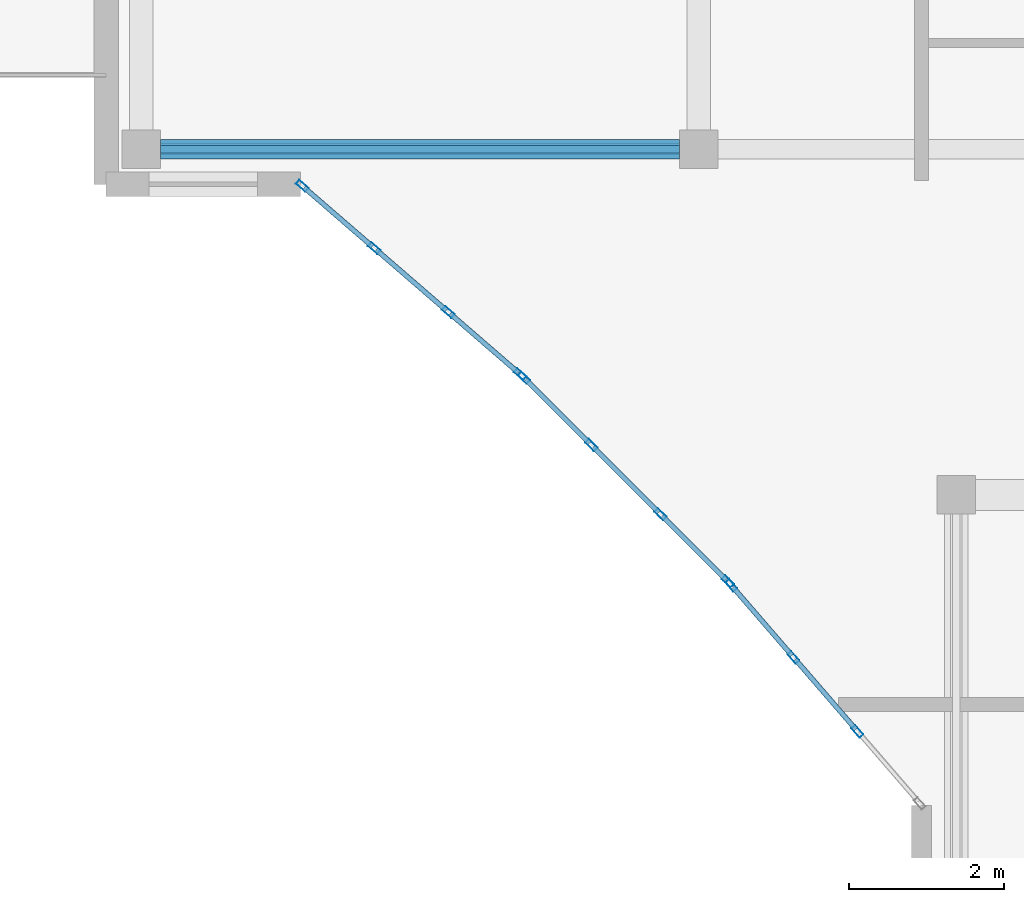
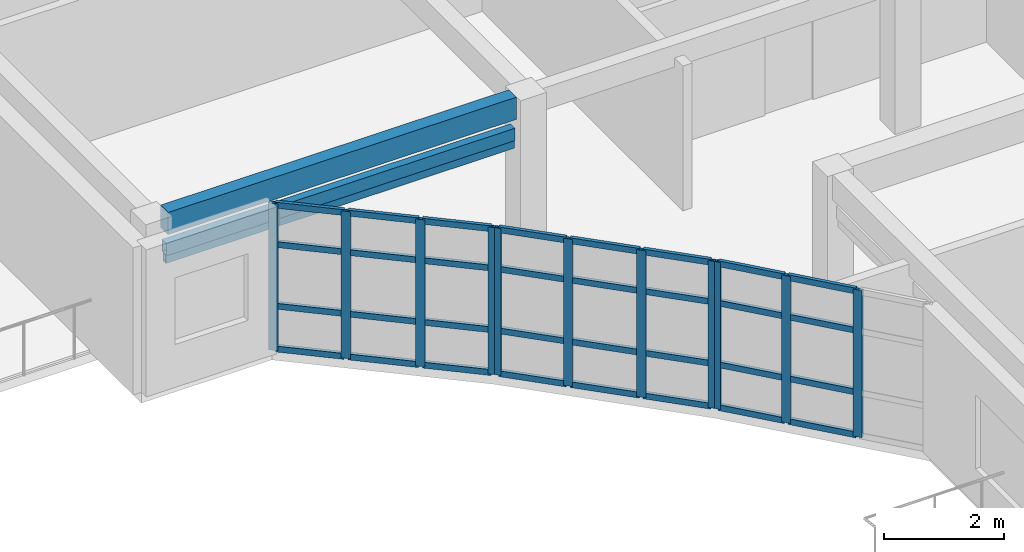
# One storey, part 3 of 39: 45 members, 1 beam, 3 elements without a shape of their own.
"""IFC4 building model written with IfcOpenShell, lengths in metres."""

from ifc_helpers import new_model, si_unit, direction, frame, origin, origin_2d, place, context, subcontext, project, spatial, rectangle, hollow_rectangle, extrude, material, layer, layer_set, material_profile, profile_set, type_object, element, aggregate, save


model = new_model("IFC4")

# Units and contexts
model_context = context("Model", 3, precision=1e-05, world=origin(), true_north=direction((0.0, 1.0)))
body_context = subcontext(model_context, "Body", "Model", "MODEL_VIEW")
ifc_project = project(units=[si_unit("LENGTHUNIT", "METRE"), si_unit("AREAUNIT", "SQUARE_METRE"), si_unit("VOLUMEUNIT", "CUBIC_METRE"), si_unit("PLANEANGLEUNIT", "RADIAN"), si_unit("MASSUNIT", "GRAM", prefix="KILO")], contexts=[model_context])

# Site, building, storey
site_placement = place(None, origin())
site = spatial("IfcSite", under=ifc_project, at=site_placement, CompositionType="ELEMENT")
building_placement = place(site_placement, origin())
building = spatial("IfcBuilding", under=site, at=building_placement, Name="Keldmere Railside Commons", CompositionType="ELEMENT")
storey_placement = place(building_placement, frame((0.0, 0.0, 32.9599609375)))
storey = spatial("IfcBuildingStorey", under=building, at=storey_placement, Name="L10", CompositionType="ELEMENT", Elevation=32.9599609375)

# Member
ifc_material_1 = material(Name="Steel F-36 (S355)", Category="steel")
ifc_material_profile_1 = material_profile(ifc_material_1, hollow_rectangle(XDim=0.14990234375, YDim=0.25, WallThickness=0.010009765625, at=origin_2d()), Name="RHS-250x150x10")
ifc_profile_set_1 = profile_set([ifc_material_profile_1], Name="Steel F-36 (S355)")
member_type_1 = type_object("IfcMemberType", Name="Balcony Continuous Planted Trough RHS250x150", PredefinedType="CHORD", material=ifc_profile_set_1)
member_1_placement = place(storey_placement, frame((94.199951171875, 100.449951171875, 2.4150390625), z_axis=(1.0, 0.0, 0.0), x_axis=(0.0, 1.0, 0.0)))
element("IfcMember", 1, at=member_1_placement, inside=storey, type_object=member_type_1, Name="PLT-1 MEM-BPLT-0983", PredefinedType="CHORD", context=body_context, shape_type="SweptSolid", body=[
    extrude(hollow_rectangle(XDim=0.14990234375, YDim=0.25, WallThickness=0.010009765625, at=origin_2d()), origin(), (0.0, 0.0, 1.0), 6.68310546875),
])

# Beam
ifc_material_2 = material(Name="Architectural Precast Concrete H-35 (C35/45)", Category="concrete")
ifc_material_profile_2 = material_profile(ifc_material_2, rectangle(XDim=0.25, YDim=0.449951171875, at=origin_2d()), Name="RC-250x450")
ifc_profile_set_2 = profile_set([ifc_material_profile_2], Name="Architectural Precast Concrete H-35 (C35/45)")
beam_type = type_object("IfcBeamType", Name="Perimeter Precast Spandrel Beam 250x450", PredefinedType="SPANDREL", material=ifc_profile_set_2)
beam_placement = place(storey_placement, frame((94.199951171875, 100.449951171875, 2.97509765625), z_axis=(1.0, 0.0, 0.0), x_axis=(0.0, 1.0, 0.0)))
element("IfcBeam", 2, at=beam_placement, inside=storey, type_object=beam_type, Name="SPB-1 BM-L10-2383", PredefinedType="SPANDREL", context=body_context, shape_type="SweptSolid", body=[
    extrude(rectangle(XDim=0.25, YDim=0.449951171875, at=origin_2d()), origin(), (0.0, 0.0, 1.0), 6.68310546875),
])

# Member
ifc_material_profile_3 = material_profile(ifc_material_1, hollow_rectangle(XDim=0.10009765625, YDim=0.159912109375, WallThickness=0.008056640625, at=origin_2d()), Name="RHS-160x100x8")
ifc_profile_set_3 = profile_set([ifc_material_profile_3], Name="Steel F-36 (S355)")
member_type_2 = type_object("IfcMemberType", Name="Solar Brise-Soleil Louvre Fin RHS160x100", PredefinedType="STRUT", material=ifc_profile_set_3)
member_2_placement = place(storey_placement, frame((94.199951171875, 100.449951171875, 2.199951171875), z_axis=(1.0, 0.0, 0.0), x_axis=(0.0, 1.0, 0.0)))
element("IfcMember", 3, at=member_2_placement, inside=storey, type_object=member_type_2, Name="BSF-1 MEM-BSF-0984", PredefinedType="STRUT", context=body_context, shape_type="SweptSolid", body=[
    extrude(hollow_rectangle(XDim=0.10009765625, YDim=0.159912109375, WallThickness=0.008056640625, at=origin_2d()), origin(), (0.0, 0.0, 1.0), 6.68310546875),
])

# Curtain wall, members
ifc_material_3 = material(Name="Thermally Broken Aluminium", Category="aluminium")
ifc_layer_1 = layer(ifc_material_3, 0.159912109375, Name="Court Chord Wintergarden CW 4800x2850")
ifc_layer_set_1 = layer_set([ifc_layer_1], Name="Thermally Broken Aluminium")
curtain_wall_type_1 = type_object("IfcCurtainWallType", Name="Court Chord Wintergarden CW 4800x2850", PredefinedType="NOTDEFINED", material=ifc_layer_set_1)
curtain_wall_1_placement = place(storey_placement, origin())
curtain_wall_1 = element("IfcCurtainWall", 4, at=curtain_wall_1_placement, inside=storey, type_object=curtain_wall_type_1, Name="CW-12 CW-L10-148", PredefinedType="NOTDEFINED")
ifc_material_profile_4 = material_profile(ifc_material_3, hollow_rectangle(XDim=0.06494140625, YDim=0.159912109375, WallThickness=0.00390625, at=origin_2d()), Name="ALU-MULL-65x160")
ifc_profile_set_4 = profile_set([ifc_material_profile_4], Name="Thermally Broken Aluminium")
member_type_3 = type_object("IfcMemberType", Name="Unitised Curtain Wall Mullion 65x160", PredefinedType="MULLION", material=ifc_profile_set_4)
member_3_placement = place(storey_placement, frame((98.83349609375, 97.55126953125, 0.0), z_axis=(0.0, 0.0, 1.0), x_axis=(-0.653881741053, -0.756596767584, 0.0)))
member_3 = element("IfcMember", 5, at=member_3_placement, type_object=member_type_3, Name="CW-12 mullion 1", PredefinedType="MULLION", context=body_context, shape_type="SweptSolid", body=[
    extrude(hollow_rectangle(XDim=0.06494140625, YDim=0.159912109375, WallThickness=0.00390625, at=origin_2d()), origin(), (0.0, 0.0, 1.0), 2.97998046875),
])
member_4_placement = place(storey_placement, frame((97.9052734375, 98.353271484375, 0.0), z_axis=(0.0, 0.0, 1.0), x_axis=(-0.653881741053, -0.756596767584, 0.0)))
member_4 = element("IfcMember", 6, at=member_4_placement, type_object=member_type_3, Name="CW-12 mullion 2", PredefinedType="MULLION", context=body_context, shape_type="SweptSolid", body=[
    extrude(hollow_rectangle(XDim=0.06494140625, YDim=0.159912109375, WallThickness=0.00390625, at=origin_2d()), origin(), (0.0, 0.0, 1.0), 2.97998046875),
])
member_5_placement = place(storey_placement, frame((96.95263671875, 99.1767578125, 0.0), z_axis=(0.0, 0.0, 1.0), x_axis=(-0.653881741053, -0.756596767584, 0.0)))
member_5 = element("IfcMember", 7, at=member_5_placement, type_object=member_type_3, Name="CW-12 mullion 3", PredefinedType="MULLION", context=body_context, shape_type="SweptSolid", body=[
    extrude(hollow_rectangle(XDim=0.06494140625, YDim=0.159912109375, WallThickness=0.00390625, at=origin_2d()), origin(), (0.0, 0.0, 1.0), 2.97998046875),
])
member_6_placement = place(storey_placement, frame((96.024658203125, 99.978759765625, 0.0), z_axis=(0.0, 0.0, 1.0), x_axis=(-0.653881741053, -0.756596767584, 0.0)))
member_6 = element("IfcMember", 8, at=member_6_placement, type_object=member_type_3, Name="CW-12 mullion 4", PredefinedType="MULLION", context=body_context, shape_type="SweptSolid", body=[
    extrude(hollow_rectangle(XDim=0.06494140625, YDim=0.159912109375, WallThickness=0.00390625, at=origin_2d()), origin(), (0.0, 0.0, 1.0), 2.97998046875),
])

ifc_layer_2 = layer(ifc_material_3, 0.159912109375, Name="Court Chord Wintergarden CW 5400x2850")
ifc_layer_set_2 = layer_set([ifc_layer_2], Name="Thermally Broken Aluminium")
curtain_wall_type_2 = type_object("IfcCurtainWallType", Name="Court Chord Wintergarden CW 5400x2850", PredefinedType="NOTDEFINED", material=ifc_layer_set_2)
curtain_wall_2_placement = place(storey_placement, origin())
curtain_wall_2 = element("IfcCurtainWall", 9, at=curtain_wall_2_placement, inside=storey, type_object=curtain_wall_type_2, Name="CW-13 CW-L10-149", PredefinedType="NOTDEFINED")
member_7_placement = place(storey_placement, frame((101.507080078125, 94.880859375, 0.0), z_axis=(0.0, 0.0, 1.0), x_axis=(-0.707106781187, -0.707106781187, 0.0)))
member_7 = element("IfcMember", 10, at=member_7_placement, type_object=member_type_3, Name="CW-13 mullion 1", PredefinedType="MULLION", context=body_context, shape_type="SweptSolid", body=[
    extrude(hollow_rectangle(XDim=0.06494140625, YDim=0.159912109375, WallThickness=0.00390625, at=origin_2d()), origin(), (0.0, 0.0, 1.0), 2.97998046875),
])
member_8_placement = place(storey_placement, frame((100.639404296875, 95.748779296875, 0.0), z_axis=(0.0, 0.0, 1.0), x_axis=(-0.707106781187, -0.707106781187, 0.0)))
member_8 = element("IfcMember", 11, at=member_8_placement, type_object=member_type_3, Name="CW-13 mullion 2", PredefinedType="MULLION", context=body_context, shape_type="SweptSolid", body=[
    extrude(hollow_rectangle(XDim=0.06494140625, YDim=0.159912109375, WallThickness=0.00390625, at=origin_2d()), origin(), (0.0, 0.0, 1.0), 2.97998046875),
])
member_9_placement = place(storey_placement, frame((99.748779296875, 96.639404296875, 0.0), z_axis=(0.0, 0.0, 1.0), x_axis=(-0.707106781187, -0.707106781187, 0.0)))
member_9 = element("IfcMember", 12, at=member_9_placement, type_object=member_type_3, Name="CW-13 mullion 3", PredefinedType="MULLION", context=body_context, shape_type="SweptSolid", body=[
    extrude(hollow_rectangle(XDim=0.06494140625, YDim=0.159912109375, WallThickness=0.00390625, at=origin_2d()), origin(), (0.0, 0.0, 1.0), 2.97998046875),
])
member_10_placement = place(storey_placement, frame((98.880859375, 97.507080078125, 0.0), z_axis=(0.0, 0.0, 1.0), x_axis=(-0.707106781187, -0.707106781187, 0.0)))
member_10 = element("IfcMember", 13, at=member_10_placement, type_object=member_type_3, Name="CW-13 mullion 4", PredefinedType="MULLION", context=body_context, shape_type="SweptSolid", body=[
    extrude(hollow_rectangle(XDim=0.06494140625, YDim=0.159912109375, WallThickness=0.00390625, at=origin_2d()), origin(), (0.0, 0.0, 1.0), 2.97998046875),
])

curtain_wall_3_placement = place(storey_placement, origin())
curtain_wall_3 = element("IfcCurtainWall", 14, at=curtain_wall_3_placement, inside=storey, type_object=curtain_wall_type_1, Name="CW-12 CW-L10-150", PredefinedType="NOTDEFINED")
member_11_placement = place(storey_placement, frame((103.1767578125, 92.95263671875, 0.0), z_axis=(0.0, 0.0, 1.0), x_axis=(-0.756596767584, -0.653881741053, 0.0)))
member_11 = element("IfcMember", 15, at=member_11_placement, type_object=member_type_3, Name="CW-12 mullion 2", PredefinedType="MULLION", context=body_context, shape_type="SweptSolid", body=[
    extrude(hollow_rectangle(XDim=0.06494140625, YDim=0.159912109375, WallThickness=0.00390625, at=origin_2d()), origin(), (0.0, 0.0, 1.0), 2.97998046875),
])
member_12_placement = place(storey_placement, frame((102.353271484375, 93.9052734375, 0.0), z_axis=(0.0, 0.0, 1.0), x_axis=(-0.756596767584, -0.653881741053, 0.0)))
member_12 = element("IfcMember", 16, at=member_12_placement, type_object=member_type_3, Name="CW-12 mullion 3", PredefinedType="MULLION", context=body_context, shape_type="SweptSolid", body=[
    extrude(hollow_rectangle(XDim=0.06494140625, YDim=0.159912109375, WallThickness=0.00390625, at=origin_2d()), origin(), (0.0, 0.0, 1.0), 2.97998046875),
])
member_13_placement = place(storey_placement, frame((101.55126953125, 94.83349609375, 0.0), z_axis=(0.0, 0.0, 1.0), x_axis=(-0.756596767584, -0.653881741053, 0.0)))
member_13 = element("IfcMember", 17, at=member_13_placement, type_object=member_type_3, Name="CW-12 mullion 4", PredefinedType="MULLION", context=body_context, shape_type="SweptSolid", body=[
    extrude(hollow_rectangle(XDim=0.06494140625, YDim=0.159912109375, WallThickness=0.00390625, at=origin_2d()), origin(), (0.0, 0.0, 1.0), 2.97998046875),
])

# Member
ifc_material_profile_5 = material_profile(ifc_material_3, hollow_rectangle(XDim=0.06494140625, YDim=0.1201171875, WallThickness=0.00390625, at=origin_2d()), Name="ALU-TRAN-65x120")
ifc_profile_set_5 = profile_set([ifc_material_profile_5], Name="Thermally Broken Aluminium")
member_type_4 = type_object("IfcMemberType", Name="Unitised Curtain Wall Transom 65x120", PredefinedType="USERDEFINED", material=ifc_profile_set_5)
member_14_placement = place(storey_placement, frame((98.808837890625, 97.572509765625, 0.032470703125), z_axis=(-0.756624489527, 0.653849663033, 0.0), x_axis=(-0.653849663033, -0.756624489527, 0.0)))
member_14 = element("IfcMember", 18, at=member_14_placement, type_object=member_type_4, Name="CW-12 transom 1.1", ObjectType="TRANSOM", PredefinedType="USERDEFINED", context=body_context, shape_type="SweptSolid", body=[
    extrude(hollow_rectangle(XDim=0.06494140625, YDim=0.1201171875, WallThickness=0.00390625, at=origin_2d()), origin(), (0.0, 0.0, 1.0), 1.16162109375),
])

member_15_placement = place(storey_placement, frame((98.808837890625, 97.572509765625, 0.900146484375), z_axis=(-0.756624489527, 0.653849663033, 0.0), x_axis=(-0.653849663033, -0.756624489527, 0.0)))
member_15 = element("IfcMember", 19, at=member_15_placement, type_object=member_type_4, Name="CW-12 transom 1.2", ObjectType="TRANSOM", PredefinedType="USERDEFINED", context=body_context, shape_type="SweptSolid", body=[
    extrude(hollow_rectangle(XDim=0.06494140625, YDim=0.1201171875, WallThickness=0.00390625, at=origin_2d()), origin(), (0.0, 0.0, 1.0), 1.16162109375),
])

member_16_placement = place(storey_placement, frame((98.808837890625, 97.572509765625, 2.150146484375), z_axis=(-0.756624489527, 0.653849663033, 0.0), x_axis=(-0.653849663033, -0.756624489527, 0.0)))
member_16 = element("IfcMember", 20, at=member_16_placement, type_object=member_type_4, Name="CW-12 transom 1.3", ObjectType="TRANSOM", PredefinedType="USERDEFINED", context=body_context, shape_type="SweptSolid", body=[
    extrude(hollow_rectangle(XDim=0.06494140625, YDim=0.1201171875, WallThickness=0.00390625, at=origin_2d()), origin(), (0.0, 0.0, 1.0), 1.16162109375),
])

member_17_placement = place(storey_placement, frame((98.808837890625, 97.572509765625, 2.947509765625), z_axis=(-0.756624489527, 0.653849663033, 0.0), x_axis=(-0.653849663033, -0.756624489527, 0.0)))
member_17 = element("IfcMember", 21, at=member_17_placement, type_object=member_type_4, Name="CW-12 transom 1.4", ObjectType="TRANSOM", PredefinedType="USERDEFINED", context=body_context, shape_type="SweptSolid", body=[
    extrude(hollow_rectangle(XDim=0.06494140625, YDim=0.1201171875, WallThickness=0.00390625, at=origin_2d()), origin(), (0.0, 0.0, 1.0), 1.16162109375),
])

member_18_placement = place(storey_placement, frame((97.880859375, 98.37451171875, 0.032470703125), z_axis=(-0.756551755881, 0.653933819796, 0.0), x_axis=(-0.653933819796, -0.756551755881, 0.0)))
member_18 = element("IfcMember", 22, at=member_18_placement, type_object=member_type_4, Name="CW-12 transom 2.1", ObjectType="TRANSOM", PredefinedType="USERDEFINED", context=body_context, shape_type="SweptSolid", body=[
    extrude(hollow_rectangle(XDim=0.06494140625, YDim=0.1201171875, WallThickness=0.00390625, at=origin_2d()), origin(), (0.0, 0.0, 1.0), 1.1943359375),
])

member_19_placement = place(storey_placement, frame((97.880859375, 98.37451171875, 0.900146484375), z_axis=(-0.756551755881, 0.653933819796, 0.0), x_axis=(-0.653933819796, -0.756551755881, 0.0)))
member_19 = element("IfcMember", 23, at=member_19_placement, type_object=member_type_4, Name="CW-12 transom 2.2", ObjectType="TRANSOM", PredefinedType="USERDEFINED", context=body_context, shape_type="SweptSolid", body=[
    extrude(hollow_rectangle(XDim=0.06494140625, YDim=0.1201171875, WallThickness=0.00390625, at=origin_2d()), origin(), (0.0, 0.0, 1.0), 1.1943359375),
])

member_20_placement = place(storey_placement, frame((97.880859375, 98.37451171875, 2.150146484375), z_axis=(-0.756551755881, 0.653933819796, 0.0), x_axis=(-0.653933819796, -0.756551755881, 0.0)))
member_20 = element("IfcMember", 24, at=member_20_placement, type_object=member_type_4, Name="CW-12 transom 2.3", ObjectType="TRANSOM", PredefinedType="USERDEFINED", context=body_context, shape_type="SweptSolid", body=[
    extrude(hollow_rectangle(XDim=0.06494140625, YDim=0.1201171875, WallThickness=0.00390625, at=origin_2d()), origin(), (0.0, 0.0, 1.0), 1.1943359375),
])

member_21_placement = place(storey_placement, frame((97.880859375, 98.37451171875, 2.947509765625), z_axis=(-0.756551755881, 0.653933819796, 0.0), x_axis=(-0.653933819796, -0.756551755881, 0.0)))
member_21 = element("IfcMember", 25, at=member_21_placement, type_object=member_type_4, Name="CW-12 transom 2.4", ObjectType="TRANSOM", PredefinedType="USERDEFINED", context=body_context, shape_type="SweptSolid", body=[
    extrude(hollow_rectangle(XDim=0.06494140625, YDim=0.1201171875, WallThickness=0.00390625, at=origin_2d()), origin(), (0.0, 0.0, 1.0), 1.1943359375),
])

member_22_placement = place(storey_placement, frame((96.927978515625, 99.197998046875, 0.032470703125), z_axis=(-0.756624489527, 0.653849663033, 0.0), x_axis=(-0.653849663033, -0.756624489527, 0.0)))
member_22 = element("IfcMember", 26, at=member_22_placement, type_object=member_type_4, Name="CW-12 transom 3.1", ObjectType="TRANSOM", PredefinedType="USERDEFINED", context=body_context, shape_type="SweptSolid", body=[
    extrude(hollow_rectangle(XDim=0.06494140625, YDim=0.1201171875, WallThickness=0.00390625, at=origin_2d()), origin(), (0.0, 0.0, 1.0), 1.16162109375),
])

member_23_placement = place(storey_placement, frame((96.927978515625, 99.197998046875, 0.900146484375), z_axis=(-0.756624489527, 0.653849663033, 0.0), x_axis=(-0.653849663033, -0.756624489527, 0.0)))
member_23 = element("IfcMember", 27, at=member_23_placement, type_object=member_type_4, Name="CW-12 transom 3.2", ObjectType="TRANSOM", PredefinedType="USERDEFINED", context=body_context, shape_type="SweptSolid", body=[
    extrude(hollow_rectangle(XDim=0.06494140625, YDim=0.1201171875, WallThickness=0.00390625, at=origin_2d()), origin(), (0.0, 0.0, 1.0), 1.16162109375),
])

member_24_placement = place(storey_placement, frame((96.927978515625, 99.197998046875, 2.150146484375), z_axis=(-0.756624489527, 0.653849663033, 0.0), x_axis=(-0.653849663033, -0.756624489527, 0.0)))
member_24 = element("IfcMember", 28, at=member_24_placement, type_object=member_type_4, Name="CW-12 transom 3.3", ObjectType="TRANSOM", PredefinedType="USERDEFINED", context=body_context, shape_type="SweptSolid", body=[
    extrude(hollow_rectangle(XDim=0.06494140625, YDim=0.1201171875, WallThickness=0.00390625, at=origin_2d()), origin(), (0.0, 0.0, 1.0), 1.16162109375),
])

member_25_placement = place(storey_placement, frame((96.927978515625, 99.197998046875, 2.947509765625), z_axis=(-0.756624489527, 0.653849663033, 0.0), x_axis=(-0.653849663033, -0.756624489527, 0.0)))
member_25 = element("IfcMember", 29, at=member_25_placement, type_object=member_type_4, Name="CW-12 transom 3.4", ObjectType="TRANSOM", PredefinedType="USERDEFINED", context=body_context, shape_type="SweptSolid", body=[
    extrude(hollow_rectangle(XDim=0.06494140625, YDim=0.1201171875, WallThickness=0.00390625, at=origin_2d()), origin(), (0.0, 0.0, 1.0), 1.16162109375),
])

aggregate(curtain_wall_1, [member_3, member_4, member_5, member_6, member_14, member_15, member_16, member_17, member_18, member_19, member_20, member_21, member_22, member_23, member_24, member_25])

member_26_placement = place(storey_placement, frame((101.484130859375, 94.904052734375, 0.032470703125), z_axis=(-0.707211825645, 0.707001721121, 0.0), x_axis=(-0.707001721121, -0.707211825645, 0.0)))
member_26 = element("IfcMember", 30, at=member_26_placement, type_object=member_type_4, Name="CW-13 transom 1.1", ObjectType="TRANSOM", PredefinedType="USERDEFINED", context=body_context, shape_type="SweptSolid", body=[
    extrude(hollow_rectangle(XDim=0.06494140625, YDim=0.1201171875, WallThickness=0.00390625, at=origin_2d()), origin(), (0.0, 0.0, 1.0), 1.162109375),
])

member_27_placement = place(storey_placement, frame((101.484130859375, 94.904052734375, 0.900146484375), z_axis=(-0.707211825645, 0.707001721121, 0.0), x_axis=(-0.707001721121, -0.707211825645, 0.0)))
member_27 = element("IfcMember", 31, at=member_27_placement, type_object=member_type_4, Name="CW-13 transom 1.2", ObjectType="TRANSOM", PredefinedType="USERDEFINED", context=body_context, shape_type="SweptSolid", body=[
    extrude(hollow_rectangle(XDim=0.06494140625, YDim=0.1201171875, WallThickness=0.00390625, at=origin_2d()), origin(), (0.0, 0.0, 1.0), 1.162109375),
])

member_28_placement = place(storey_placement, frame((101.484130859375, 94.904052734375, 2.150146484375), z_axis=(-0.707211825645, 0.707001721121, 0.0), x_axis=(-0.707001721121, -0.707211825645, 0.0)))
member_28 = element("IfcMember", 32, at=member_28_placement, type_object=member_type_4, Name="CW-13 transom 1.3", ObjectType="TRANSOM", PredefinedType="USERDEFINED", context=body_context, shape_type="SweptSolid", body=[
    extrude(hollow_rectangle(XDim=0.06494140625, YDim=0.1201171875, WallThickness=0.00390625, at=origin_2d()), origin(), (0.0, 0.0, 1.0), 1.162109375),
])

member_29_placement = place(storey_placement, frame((101.484130859375, 94.904052734375, 2.947509765625), z_axis=(-0.707211825645, 0.707001721121, 0.0), x_axis=(-0.707001721121, -0.707211825645, 0.0)))
member_29 = element("IfcMember", 33, at=member_29_placement, type_object=member_type_4, Name="CW-13 transom 1.4", ObjectType="TRANSOM", PredefinedType="USERDEFINED", context=body_context, shape_type="SweptSolid", body=[
    extrude(hollow_rectangle(XDim=0.06494140625, YDim=0.1201171875, WallThickness=0.00390625, at=origin_2d()), origin(), (0.0, 0.0, 1.0), 1.162109375),
])

member_30_placement = place(storey_placement, frame((100.616455078125, 95.771728515625, 0.032470703125), z_axis=(-0.707106781187, 0.707106781187, 0.0), x_axis=(-0.707106781187, -0.707106781187, 0.0)))
member_30 = element("IfcMember", 34, at=member_30_placement, type_object=member_type_4, Name="CW-13 transom 2.1", ObjectType="TRANSOM", PredefinedType="USERDEFINED", context=body_context, shape_type="SweptSolid", body=[
    extrude(hollow_rectangle(XDim=0.06494140625, YDim=0.1201171875, WallThickness=0.00390625, at=origin_2d()), origin(), (0.0, 0.0, 1.0), 1.194580078125),
])

member_31_placement = place(storey_placement, frame((100.616455078125, 95.771728515625, 0.900146484375), z_axis=(-0.707106781187, 0.707106781187, 0.0), x_axis=(-0.707106781187, -0.707106781187, 0.0)))
member_31 = element("IfcMember", 35, at=member_31_placement, type_object=member_type_4, Name="CW-13 transom 2.2", ObjectType="TRANSOM", PredefinedType="USERDEFINED", context=body_context, shape_type="SweptSolid", body=[
    extrude(hollow_rectangle(XDim=0.06494140625, YDim=0.1201171875, WallThickness=0.00390625, at=origin_2d()), origin(), (0.0, 0.0, 1.0), 1.194580078125),
])

member_32_placement = place(storey_placement, frame((100.616455078125, 95.771728515625, 2.150146484375), z_axis=(-0.707106781187, 0.707106781187, 0.0), x_axis=(-0.707106781187, -0.707106781187, 0.0)))
member_32 = element("IfcMember", 36, at=member_32_placement, type_object=member_type_4, Name="CW-13 transom 2.3", ObjectType="TRANSOM", PredefinedType="USERDEFINED", context=body_context, shape_type="SweptSolid", body=[
    extrude(hollow_rectangle(XDim=0.06494140625, YDim=0.1201171875, WallThickness=0.00390625, at=origin_2d()), origin(), (0.0, 0.0, 1.0), 1.194580078125),
])

member_33_placement = place(storey_placement, frame((100.616455078125, 95.771728515625, 2.947509765625), z_axis=(-0.707106781187, 0.707106781187, 0.0), x_axis=(-0.707106781187, -0.707106781187, 0.0)))
member_33 = element("IfcMember", 37, at=member_33_placement, type_object=member_type_4, Name="CW-13 transom 2.4", ObjectType="TRANSOM", PredefinedType="USERDEFINED", context=body_context, shape_type="SweptSolid", body=[
    extrude(hollow_rectangle(XDim=0.06494140625, YDim=0.1201171875, WallThickness=0.00390625, at=origin_2d()), origin(), (0.0, 0.0, 1.0), 1.194580078125),
])

member_34_placement = place(storey_placement, frame((99.7255859375, 96.662353515625, 0.032470703125), z_axis=(-0.707001721121, 0.707211825645, 0.0), x_axis=(-0.707211825645, -0.707001721121, 0.0)))
member_34 = element("IfcMember", 38, at=member_34_placement, type_object=member_type_4, Name="CW-13 transom 3.1", ObjectType="TRANSOM", PredefinedType="USERDEFINED", context=body_context, shape_type="SweptSolid", body=[
    extrude(hollow_rectangle(XDim=0.06494140625, YDim=0.1201171875, WallThickness=0.00390625, at=origin_2d()), origin(), (0.0, 0.0, 1.0), 1.162109375),
])

member_35_placement = place(storey_placement, frame((99.7255859375, 96.662353515625, 0.900146484375), z_axis=(-0.707001721121, 0.707211825645, 0.0), x_axis=(-0.707211825645, -0.707001721121, 0.0)))
member_35 = element("IfcMember", 39, at=member_35_placement, type_object=member_type_4, Name="CW-13 transom 3.2", ObjectType="TRANSOM", PredefinedType="USERDEFINED", context=body_context, shape_type="SweptSolid", body=[
    extrude(hollow_rectangle(XDim=0.06494140625, YDim=0.1201171875, WallThickness=0.00390625, at=origin_2d()), origin(), (0.0, 0.0, 1.0), 1.162109375),
])

member_36_placement = place(storey_placement, frame((99.7255859375, 96.662353515625, 2.150146484375), z_axis=(-0.707001721121, 0.707211825645, 0.0), x_axis=(-0.707211825645, -0.707001721121, 0.0)))
member_36 = element("IfcMember", 40, at=member_36_placement, type_object=member_type_4, Name="CW-13 transom 3.3", ObjectType="TRANSOM", PredefinedType="USERDEFINED", context=body_context, shape_type="SweptSolid", body=[
    extrude(hollow_rectangle(XDim=0.06494140625, YDim=0.1201171875, WallThickness=0.00390625, at=origin_2d()), origin(), (0.0, 0.0, 1.0), 1.162109375),
])

member_37_placement = place(storey_placement, frame((99.7255859375, 96.662353515625, 2.947509765625), z_axis=(-0.707001721121, 0.707211825645, 0.0), x_axis=(-0.707211825645, -0.707001721121, 0.0)))
member_37 = element("IfcMember", 41, at=member_37_placement, type_object=member_type_4, Name="CW-13 transom 3.4", ObjectType="TRANSOM", PredefinedType="USERDEFINED", context=body_context, shape_type="SweptSolid", body=[
    extrude(hollow_rectangle(XDim=0.06494140625, YDim=0.1201171875, WallThickness=0.00390625, at=origin_2d()), origin(), (0.0, 0.0, 1.0), 1.162109375),
])

aggregate(curtain_wall_2, [member_7, member_8, member_9, member_10, member_26, member_27, member_28, member_29, member_30, member_31, member_32, member_33, member_34, member_35, member_36, member_37])

member_38_placement = place(storey_placement, frame((103.155517578125, 92.977294921875, 0.032470703125), z_axis=(-0.653933819796, 0.756551755881, 0.0), x_axis=(-0.756551755881, -0.653933819796, 0.0)))
member_38 = element("IfcMember", 42, at=member_38_placement, type_object=member_type_4, Name="CW-12 transom 2.1", ObjectType="TRANSOM", PredefinedType="USERDEFINED", context=body_context, shape_type="SweptSolid", body=[
    extrude(hollow_rectangle(XDim=0.06494140625, YDim=0.1201171875, WallThickness=0.00390625, at=origin_2d()), origin(), (0.0, 0.0, 1.0), 1.1943359375),
])

member_39_placement = place(storey_placement, frame((103.155517578125, 92.977294921875, 0.900146484375), z_axis=(-0.653933819796, 0.756551755881, 0.0), x_axis=(-0.756551755881, -0.653933819796, 0.0)))
member_39 = element("IfcMember", 43, at=member_39_placement, type_object=member_type_4, Name="CW-12 transom 2.2", ObjectType="TRANSOM", PredefinedType="USERDEFINED", context=body_context, shape_type="SweptSolid", body=[
    extrude(hollow_rectangle(XDim=0.06494140625, YDim=0.1201171875, WallThickness=0.00390625, at=origin_2d()), origin(), (0.0, 0.0, 1.0), 1.1943359375),
])

member_40_placement = place(storey_placement, frame((103.155517578125, 92.977294921875, 2.150146484375), z_axis=(-0.653933819796, 0.756551755881, 0.0), x_axis=(-0.756551755881, -0.653933819796, 0.0)))
member_40 = element("IfcMember", 44, at=member_40_placement, type_object=member_type_4, Name="CW-12 transom 2.3", ObjectType="TRANSOM", PredefinedType="USERDEFINED", context=body_context, shape_type="SweptSolid", body=[
    extrude(hollow_rectangle(XDim=0.06494140625, YDim=0.1201171875, WallThickness=0.00390625, at=origin_2d()), origin(), (0.0, 0.0, 1.0), 1.1943359375),
])

member_41_placement = place(storey_placement, frame((103.155517578125, 92.977294921875, 2.947509765625), z_axis=(-0.653933819796, 0.756551755881, 0.0), x_axis=(-0.756551755881, -0.653933819796, 0.0)))
member_41 = element("IfcMember", 45, at=member_41_placement, type_object=member_type_4, Name="CW-12 transom 2.4", ObjectType="TRANSOM", PredefinedType="USERDEFINED", context=body_context, shape_type="SweptSolid", body=[
    extrude(hollow_rectangle(XDim=0.06494140625, YDim=0.1201171875, WallThickness=0.00390625, at=origin_2d()), origin(), (0.0, 0.0, 1.0), 1.1943359375),
])

member_42_placement = place(storey_placement, frame((102.33203125, 93.929931640625, 0.032470703125), z_axis=(-0.653849663033, 0.756624489527, 0.0), x_axis=(-0.756624489527, -0.653849663033, 0.0)))
member_42 = element("IfcMember", 46, at=member_42_placement, type_object=member_type_4, Name="CW-12 transom 3.1", ObjectType="TRANSOM", PredefinedType="USERDEFINED", context=body_context, shape_type="SweptSolid", body=[
    extrude(hollow_rectangle(XDim=0.06494140625, YDim=0.1201171875, WallThickness=0.00390625, at=origin_2d()), origin(), (0.0, 0.0, 1.0), 1.16162109375),
])

member_43_placement = place(storey_placement, frame((102.33203125, 93.929931640625, 0.900146484375), z_axis=(-0.653849663033, 0.756624489527, 0.0), x_axis=(-0.756624489527, -0.653849663033, 0.0)))
member_43 = element("IfcMember", 47, at=member_43_placement, type_object=member_type_4, Name="CW-12 transom 3.2", ObjectType="TRANSOM", PredefinedType="USERDEFINED", context=body_context, shape_type="SweptSolid", body=[
    extrude(hollow_rectangle(XDim=0.06494140625, YDim=0.1201171875, WallThickness=0.00390625, at=origin_2d()), origin(), (0.0, 0.0, 1.0), 1.16162109375),
])

member_44_placement = place(storey_placement, frame((102.33203125, 93.929931640625, 2.150146484375), z_axis=(-0.653849663033, 0.756624489527, 0.0), x_axis=(-0.756624489527, -0.653849663033, 0.0)))
member_44 = element("IfcMember", 48, at=member_44_placement, type_object=member_type_4, Name="CW-12 transom 3.3", ObjectType="TRANSOM", PredefinedType="USERDEFINED", context=body_context, shape_type="SweptSolid", body=[
    extrude(hollow_rectangle(XDim=0.06494140625, YDim=0.1201171875, WallThickness=0.00390625, at=origin_2d()), origin(), (0.0, 0.0, 1.0), 1.16162109375),
])

member_45_placement = place(storey_placement, frame((102.33203125, 93.929931640625, 2.947509765625), z_axis=(-0.653849663033, 0.756624489527, 0.0), x_axis=(-0.756624489527, -0.653849663033, 0.0)))
member_45 = element("IfcMember", 49, at=member_45_placement, type_object=member_type_4, Name="CW-12 transom 3.4", ObjectType="TRANSOM", PredefinedType="USERDEFINED", context=body_context, shape_type="SweptSolid", body=[
    extrude(hollow_rectangle(XDim=0.06494140625, YDim=0.1201171875, WallThickness=0.00390625, at=origin_2d()), origin(), (0.0, 0.0, 1.0), 1.16162109375),
])

aggregate(curtain_wall_3, [member_11, member_12, member_13, member_38, member_39, member_40, member_41, member_42, member_43, member_44, member_45])

save(model, "model.ifc")
